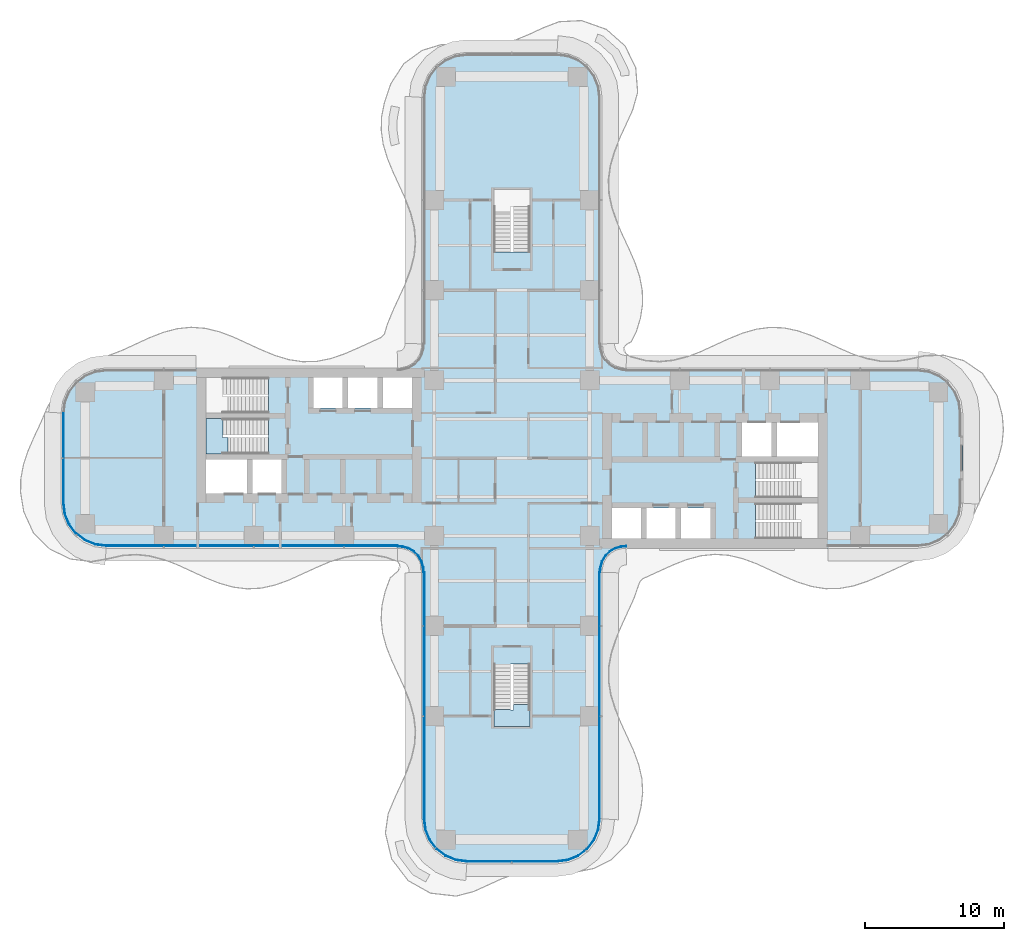
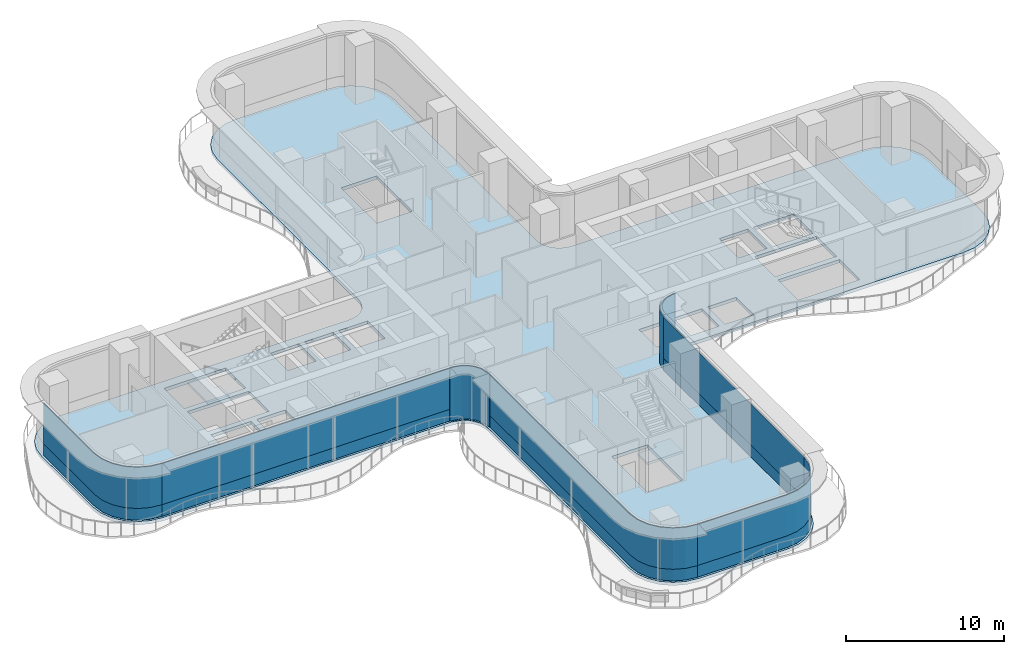
# One storey, part 14 of 22: 12 plates, 3 slabs, 9 elements without a shape of their own.
"""IFC4 building model written with IfcOpenShell, lengths in metres."""

from ifc_helpers import new_model, si_unit, direction, frame, origin, place, context, subcontext, project, spatial, polyline, outline, extrude, source, transform, mapped, material, layer, layer_set, type_object, element, aggregate, save


model = new_model("IFC4")

# Units and contexts
model_context = context("Model", 3, precision=1e-05, world=origin(), true_north=direction((0.0, 1.0)))
body_context = subcontext(model_context, "Body", "Model", "MODEL_VIEW")
ifc_project = project(units=[si_unit("LENGTHUNIT", "METRE"), si_unit("AREAUNIT", "SQUARE_METRE"), si_unit("VOLUMEUNIT", "CUBIC_METRE"), si_unit("PLANEANGLEUNIT", "RADIAN"), si_unit("MASSUNIT", "GRAM", prefix="KILO")], contexts=[model_context])

# Site, building, storey
site_placement = place(None, origin())
site = spatial("IfcSite", under=ifc_project, at=site_placement, CompositionType="ELEMENT")
building_placement = place(site_placement, origin())
building = spatial("IfcBuilding", under=site, at=building_placement, Name="Trellis Farm Tower", CompositionType="ELEMENT")
storey_placement = place(building_placement, frame((0.0, 0.0, 38.5)))
storey = spatial("IfcBuildingStorey", under=building, at=storey_placement, Name="L07", CompositionType="ELEMENT", Elevation=38.5)

# Slab
ifc_material_1 = material(Name="Concrete C40/50", Category="concrete")
ifc_layer_1 = layer(ifc_material_1, 0.25)
ifc_layer_set_1 = layer_set([ifc_layer_1], Name="Composite deck floor slab 250")
slab_type_1 = type_object("IfcSlabType", Name="Composite deck floor slab 250", PredefinedType="FLOOR", material=ifc_layer_set_1)
shared_shape_1 = source(origin(), body_context, "Body", "SweptSolid", [
    extrude(outline(polyline([(-30.09130859375, -6.389404296875), (-30.875, -6.064697265625), (-31.548095703125, -5.548095703125), (-32.064697265625, -4.875), (-32.389404296875, -4.09130859375), (-32.5, -3.25), (-32.5, 3.25), (-32.389404296875, 4.09130859375), (-32.064697265625, 4.875), (-31.548095703125, 5.548095703125), (-30.875, 6.064697265625), (-30.09130859375, 6.389404296875), (-29.25, 6.5), (-8.2314453125, 6.5), (-8.01953125, 6.513916015625), (-7.91552734375, 6.527587890625), (-7.508544921875, 6.63671875), (-7.144287109375, 6.846923828125), (-6.846923828125, 7.144287109375), (-6.63671875, 7.508544921875), (-6.527587890625, 7.91552734375), (-6.513916015625, 8.01953125), (-6.5, 8.2314453125), (-6.5, 26.0), (-6.389404296875, 26.84130859375), (-6.064697265625, 27.625), (-5.548095703125, 28.298095703125), (-4.875, 28.814697265625), (-4.09130859375, 29.139404296875), (-3.25, 29.25), (3.25, 29.25), (4.09130859375, 29.139404296875), (4.875, 28.814697265625), (5.548095703125, 28.298095703125), (6.064697265625, 27.625), (6.389404296875, 26.84130859375), (6.5, 26.0), (6.5, 8.2314453125), (6.513916015625, 8.01953125), (6.527587890625, 7.91552734375), (6.63671875, 7.508544921875), (6.846923828125, 7.144287109375), (7.144287109375, 6.846923828125), (7.508544921875, 6.63671875), (7.91552734375, 6.527587890625), (8.01953125, 6.513916015625), (8.2314453125, 6.5), (29.25, 6.5), (30.09130859375, 6.389404296875), (30.875, 6.064697265625), (31.548095703125, 5.548095703125), (32.064697265625, 4.875), (32.389404296875, 4.09130859375), (32.5, 3.25), (32.5, -3.25), (32.389404296875, -4.09130859375), (32.064697265625, -4.875), (31.548095703125, -5.548095703125), (30.875, -6.064697265625), (30.09130859375, -6.389404296875), (29.25, -6.5), (8.2314453125, -6.5), (8.01953125, -6.513916015625), (7.91552734375, -6.527587890625), (7.508544921875, -6.63671875), (7.144287109375, -6.846923828125), (6.846923828125, -7.144287109375), (6.63671875, -7.508544921875), (6.527587890625, -7.91552734375), (6.513916015625, -8.01953125), (6.5, -8.2314453125), (6.5, -26.0), (6.389404296875, -26.84130859375), (6.064697265625, -27.625), (5.548095703125, -28.298095703125), (4.875, -28.814697265625), (4.09130859375, -29.139404296875), (3.25, -29.25), (-3.25, -29.25), (-4.09130859375, -29.139404296875), (-4.875, -28.814697265625), (-5.548095703125, -28.298095703125), (-6.064697265625, -27.625), (-6.389404296875, -26.84130859375), (-6.5, -26.0), (-6.5, -8.2314453125), (-6.513916015625, -8.01953125), (-6.527587890625, -7.91552734375), (-6.63671875, -7.508544921875), (-6.846923828125, -7.144287109375), (-7.144287109375, -6.846923828125), (-7.508544921875, -6.63671875), (-7.91552734375, -6.527587890625), (-8.01953125, -6.513916015625), (-8.2314453125, -6.5), (-29.25, -6.5), (-30.09130859375, -6.389404296875)]), holes=[polyline([(-22.050048828125, -0.10009765625), (-22.050048828125, -2.550048828125), (-19.10009765625, -2.550048828125), (-19.10009765625, -0.10009765625), (-22.050048828125, -0.10009765625)]), polyline([(-18.699951171875, -0.10009765625), (-18.699951171875, -2.550048828125), (-16.60009765625, -2.550048828125), (-16.60009765625, -0.10009765625), (-18.699951171875, -0.10009765625)]), polyline([(-17.56201171875, 1.64990234375), (-17.56201171875, 2.85009765625), (-22.050048828125, 2.85009765625), (-22.050048828125, 0.300048828125), (-17.56005859375, 0.300048828125), (-17.56005859375, 1.5), (-17.550048828125, 1.5), (-17.550048828125, 1.64990234375), (-17.56201171875, 1.64990234375)]), polyline([(-17.56201171875, 4.60009765625), (-17.56201171875, 5.800048828125), (-22.050048828125, 5.800048828125), (-22.050048828125, 3.25), (-17.56005859375, 3.25), (-17.56005859375, 4.449951171875), (-17.550048828125, 4.449951171875), (-17.550048828125, 4.60009765625), (-17.56201171875, 4.60009765625)]), polyline([(-14.300048828125, 5.800048828125), (-14.300048828125, 3.60009765625), (-12.199951171875, 3.60009765625), (-12.199951171875, 5.800048828125), (-14.300048828125, 5.800048828125)]), polyline([(-11.800048828125, 5.800048828125), (-11.800048828125, 3.60009765625), (-9.699951171875, 3.60009765625), (-9.699951171875, 5.800048828125), (-11.800048828125, 5.800048828125)]), polyline([(-9.300048828125, 5.800048828125), (-9.300048828125, 3.60009765625), (-7.199951171875, 3.60009765625), (-7.199951171875, 5.800048828125), (-9.300048828125, 5.800048828125)]), polyline([(0.10009765625, 14.862060546875), (1.300048828125, 14.862060546875), (1.300048828125, 19.35009765625), (-1.300048828125, 19.35009765625), (-1.300048828125, 14.860107421875), (-0.10009765625, 14.860107421875), (-0.10009765625, 14.85009765625), (0.10009765625, 14.85009765625), (0.10009765625, 14.862060546875)]), polyline([(-0.10009765625, -14.862060546875), (-1.300048828125, -14.862060546875), (-1.300048828125, -19.35009765625), (1.300048828125, -19.35009765625), (1.300048828125, -14.860107421875), (0.10009765625, -14.860107421875), (0.10009765625, -14.85009765625), (-0.10009765625, -14.85009765625), (-0.10009765625, -14.862060546875)]), polyline([(9.300048828125, -5.800048828125), (9.300048828125, -3.60009765625), (7.199951171875, -3.60009765625), (7.199951171875, -5.800048828125), (9.300048828125, -5.800048828125)]), polyline([(11.800048828125, -5.800048828125), (11.800048828125, -3.60009765625), (9.699951171875, -3.60009765625), (9.699951171875, -5.800048828125), (11.800048828125, -5.800048828125)]), polyline([(14.300048828125, -5.800048828125), (14.300048828125, -3.60009765625), (12.199951171875, -3.60009765625), (12.199951171875, -5.800048828125), (14.300048828125, -5.800048828125)]), polyline([(17.56201171875, -4.60009765625), (17.56201171875, -5.800048828125), (22.050048828125, -5.800048828125), (22.050048828125, -3.25), (17.56005859375, -3.25), (17.56005859375, -4.449951171875), (17.550048828125, -4.449951171875), (17.550048828125, -4.60009765625), (17.56201171875, -4.60009765625)]), polyline([(17.56201171875, -1.64990234375), (17.56201171875, -2.85009765625), (22.050048828125, -2.85009765625), (22.050048828125, -0.300048828125), (17.56005859375, -0.300048828125), (17.56005859375, -1.5), (17.550048828125, -1.5), (17.550048828125, -1.64990234375), (17.56201171875, -1.64990234375)]), polyline([(18.699951171875, 0.10009765625), (18.699951171875, 2.550048828125), (16.60009765625, 2.550048828125), (16.60009765625, 0.10009765625), (18.699951171875, 0.10009765625)]), polyline([(22.050048828125, 0.10009765625), (22.050048828125, 2.550048828125), (19.10009765625, 2.550048828125), (19.10009765625, 0.10009765625), (22.050048828125, 0.10009765625)])]), origin(), (0.0, 0.0, 1.0), 0.25),
])
slab_1_placement = place(storey_placement, frame((0.0, 0.0, -0.25)))
element("IfcSlab", 1, at=slab_1_placement, inside=storey, type_object=slab_type_1, Name="Floor slab", PredefinedType="FLOOR", context=body_context, shape_type="MappedRepresentation", body=[
    mapped(shared_shape_1, transform((0.0, 0.0, 0.0))),
])

# Stair, slab
ifc_material_2 = material(Name="Concrete C50/60", Category="concrete")
stair_type = type_object("IfcStairType", Name="CORE EXIT STAIR 26 RISERS 173 MM", PredefinedType="HALF_TURN_STAIR", material=ifc_material_2)
placement_1 = place(storey_placement, origin())
stair_1 = element("IfcStair", 2, at=placement_1, inside=storey, type_object=stair_type, Name="Exit stair S", PredefinedType="HALF_TURN_STAIR")
ifc_layer_2 = layer(ifc_material_2, 0.18994140625)
ifc_layer_set_2 = layer_set([ifc_layer_2], Name="CORE STAIR LANDING 190 CONCRETE C50/60")
slab_type_2 = type_object("IfcSlabType", Name="CORE STAIR LANDING 190 CONCRETE C50/60", PredefinedType="LANDING", material=ifc_layer_set_2)
shared_shape_2 = source(origin(), body_context, "Body", "SweptSolid", [
    extrude(outline(polyline([(1.300048828125, -19.35009765625), (-1.300048828125, -19.35009765625), (-1.300048828125, -18.14990234375), (-1.300048828125, -18.139892578125), (-0.10009765625, -18.139892578125), (-0.10009765625, -18.14990234375), (0.10009765625, -18.14990234375), (0.10009765625, -17.753173828125), (1.300048828125, -17.753173828125), (1.300048828125, -18.14990234375), (1.300048828125, -19.35009765625)])), origin(), (0.0, 0.0, 1.0), 0.18994140625),
])
placement_2 = place(storey_placement, frame((0.0, 0.0, 2.06005859375)))
slab_2 = element("IfcSlab", 3, at=placement_2, type_object=slab_type_2, Name="STS landing 1", PredefinedType="LANDING", context=body_context, shape_type="MappedRepresentation", body=[
    mapped(shared_shape_2, transform((0.0, 0.0, 0.0))),
])
aggregate(stair_1, [slab_2])

stair_2 = element("IfcStair", 4, at=placement_1, inside=storey, type_object=stair_type, Name="Exit stair W2", PredefinedType="HALF_TURN_STAIR")
shared_shape_3 = source(origin(), body_context, "Body", "SweptSolid", [
    extrude(outline(polyline([(-20.453125, 1.5), (-20.453125, 0.300048828125), (-20.85009765625, 0.300048828125), (-22.050048828125, 0.300048828125), (-22.050048828125, 2.85009765625), (-20.85009765625, 2.85009765625), (-20.840087890625, 2.85009765625), (-20.840087890625, 1.64990234375), (-20.85009765625, 1.64990234375), (-20.85009765625, 1.5), (-20.453125, 1.5)])), origin(), (0.0, 0.0, 1.0), 0.18994140625),
])
slab_3 = element("IfcSlab", 5, at=placement_2, type_object=slab_type_2, Name="STW2 landing 1", PredefinedType="LANDING", context=body_context, shape_type="MappedRepresentation", body=[
    mapped(shared_shape_3, transform((0.0, 0.0, 0.0))),
])
aggregate(stair_2, [slab_3])

# Curtain wall, plates
ifc_material_3 = material(Name="Aluminium and glass curtain wall", Category="aluminium")
ifc_layer_3 = layer(ifc_material_3, 0.18994140625)
ifc_layer_set_3 = layer_set([ifc_layer_3], Name="RIBBON CURTAIN WALL CW1")
curtain_wall_type_1 = type_object("IfcCurtainWallType", Name="RIBBON CURTAIN WALL CW1", PredefinedType="NOTDEFINED", material=ifc_layer_set_3)
curtain_wall_1 = element("IfcCurtainWall", 6, at=placement_1, inside=storey, type_object=curtain_wall_type_1, Name="CW1 001", PredefinedType="NOTDEFINED")
ifc_material_4 = material(Name="Clear insulated glass", Category="glass")
ifc_layer_4 = layer(ifc_material_4, 0.0400390625)
ifc_layer_set_4 = layer_set([ifc_layer_4], Name="CW1 GLASS PANEL 40")
plate_type_1 = type_object("IfcPlateType", Name="CW1 GLASS PANEL 40", PredefinedType="CURTAIN_PANEL", material=ifc_layer_set_4)
shared_shape_4 = source(origin(), body_context, "Body", "SweptSolid", [
    extrude(outline(polyline([(-29.240234375, -6.35009765625), (-8.2265625, -6.35009765625), (-8.22509765625, -6.31005859375), (-29.237548828125, -6.31005859375), (-29.240234375, -6.35009765625)])), origin(), (0.0, 0.0, 1.0), 3.170166015625),
])
placement_3 = place(storey_placement, frame((0.0, 0.0, 0.89990234375)))
plate_1 = element("IfcPlate", 7, at=placement_3, type_object=plate_type_1, Name="PL1 001", PredefinedType="CURTAIN_PANEL", context=body_context, shape_type="MappedRepresentation", body=[
    mapped(shared_shape_4, transform((0.0, 0.0, 0.0))),
])
ifc_material_5 = material(Name="Sandstone faced insulated panel", Category="masonry")
ifc_layer_5 = layer(ifc_material_5, 0.050048828125)
ifc_layer_set_5 = layer_set([ifc_layer_5], Name="CW1 STONE SPANDREL PANEL 50")
plate_type_2 = type_object("IfcPlateType", Name="CW1 STONE SPANDREL PANEL 50", PredefinedType="CURTAIN_PANEL", material=ifc_layer_set_5)
shared_shape_5 = source(origin(), body_context, "Body", "SweptSolid", [
    extrude(outline(polyline([(-29.240234375, -6.35009765625), (-8.2265625, -6.35009765625), (-8.224853515625, -6.300048828125), (-29.23681640625, -6.300048828125), (-29.240234375, -6.35009765625)])), origin(), (0.0, 0.0, 1.0), 0.89990234375),
])
plate_2 = element("IfcPlate", 8, at=placement_1, type_object=plate_type_2, Name="PS1 001", PredefinedType="CURTAIN_PANEL", context=body_context, shape_type="MappedRepresentation", body=[
    mapped(shared_shape_5, transform((0.0, 0.0, 0.0))),
])
aggregate(curtain_wall_1, [plate_1, plate_2])

# Curtain wall, plate
ifc_layer_6 = layer(ifc_material_3, 0.166015625)
ifc_layer_set_6 = layer_set([ifc_layer_6], Name="WINTER GARDEN CURTAIN WALL CW3")
curtain_wall_type_2 = type_object("IfcCurtainWallType", Name="WINTER GARDEN CURTAIN WALL CW3", PredefinedType="NOTDEFINED", material=ifc_layer_set_6)
curtain_wall_2 = element("IfcCurtainWall", 9, at=placement_1, inside=storey, type_object=curtain_wall_type_2, Name="CW3 001", PredefinedType="NOTDEFINED")
ifc_layer_7 = layer(ifc_material_4, 0.0458984375)
ifc_layer_set_7 = layer_set([ifc_layer_7], Name="CW3 GLASS PANEL 46")
plate_type_3 = type_object("IfcPlateType", Name="CW3 GLASS PANEL 46", PredefinedType="CURTAIN_PANEL", material=ifc_layer_set_7)
shared_shape_6 = source(origin(), body_context, "Body", "SweptSolid", [
    extrude(outline(polyline([(-8.2275390625, -6.3798828125), (-8.0078125, -6.394287109375), (-7.89208984375, -6.40966796875), (-7.462158203125, -6.52490234375), (-7.070556640625, -6.7509765625), (-6.7509765625, -7.070556640625), (-6.52490234375, -7.462158203125), (-6.40966796875, -7.89208984375), (-6.394287109375, -8.0078125), (-6.3798828125, -8.2275390625), (-6.333984375, -8.22607421875), (-6.3486328125, -8.003173828125), (-6.364501953125, -7.883056640625), (-6.48193359375, -7.4443359375), (-6.714111328125, -7.04248046875), (-7.04248046875, -6.714111328125), (-7.4443359375, -6.48193359375), (-7.883056640625, -6.364501953125), (-8.003173828125, -6.3486328125), (-8.22607421875, -6.333984375), (-8.2275390625, -6.3798828125)])), origin(), (0.0, 0.0, 1.0), 4.10009765625),
])
plate_3 = element("IfcPlate", 10, at=placement_1, type_object=plate_type_3, Name="PL3 001", PredefinedType="CURTAIN_PANEL", context=body_context, shape_type="MappedRepresentation", body=[
    mapped(shared_shape_6, transform((0.0, 0.0, 0.0))),
])
aggregate(curtain_wall_2, [plate_3])

# Curtain wall, plates
curtain_wall_3 = element("IfcCurtainWall", 11, at=placement_1, inside=storey, type_object=curtain_wall_type_1, Name="CW1 003", PredefinedType="NOTDEFINED")
shared_shape_7 = source(origin(), body_context, "Body", "SweptSolid", [
    extrude(outline(polyline([(-3.240234375, -29.10009765625), (3.240234375, -29.10009765625), (4.052001953125, -28.9931640625), (4.79931640625, -28.68359375), (5.441162109375, -28.191162109375), (5.93359375, -27.54931640625), (6.2431640625, -26.802001953125), (6.35009765625, -25.990234375), (6.31005859375, -25.987548828125), (6.2041015625, -26.79150390625), (5.898681640625, -27.529296875), (5.41259765625, -28.16259765625), (4.779296875, -28.648681640625), (4.04150390625, -28.9541015625), (3.237548828125, -29.06005859375), (-3.237548828125, -29.06005859375), (-3.240234375, -29.10009765625)])), origin(), (0.0, 0.0, 1.0), 3.170166015625),
])
plate_4 = element("IfcPlate", 12, at=placement_3, type_object=plate_type_1, Name="PL1 003", PredefinedType="CURTAIN_PANEL", context=body_context, shape_type="MappedRepresentation", body=[
    mapped(shared_shape_7, transform((0.0, 0.0, 0.0))),
])
shared_shape_8 = source(origin(), body_context, "Body", "SweptSolid", [
    extrude(outline(polyline([(-3.240234375, -29.10009765625), (3.240234375, -29.10009765625), (4.052001953125, -28.9931640625), (4.79931640625, -28.68359375), (5.441162109375, -28.191162109375), (5.93359375, -27.54931640625), (6.2431640625, -26.802001953125), (6.35009765625, -25.990234375), (6.300048828125, -25.98681640625), (6.1943359375, -26.7890625), (5.889892578125, -27.524169921875), (5.405517578125, -28.155517578125), (4.774169921875, -28.639892578125), (4.0390625, -28.9443359375), (3.23681640625, -29.050048828125), (-3.23681640625, -29.050048828125), (-3.240234375, -29.10009765625)])), origin(), (0.0, 0.0, 1.0), 0.89990234375),
])
plate_5 = element("IfcPlate", 13, at=placement_1, type_object=plate_type_2, Name="PS1 003", PredefinedType="CURTAIN_PANEL", context=body_context, shape_type="MappedRepresentation", body=[
    mapped(shared_shape_8, transform((0.0, 0.0, 0.0))),
])
aggregate(curtain_wall_3, [plate_4, plate_5])

curtain_wall_4 = element("IfcCurtainWall", 14, at=placement_1, inside=storey, type_object=curtain_wall_type_1, Name="CW1 004", PredefinedType="NOTDEFINED")
shared_shape_9 = source(origin(), body_context, "Body", "SweptSolid", [
    extrude(outline(polyline([(6.35009765625, -25.990234375), (6.35009765625, -8.2265625), (6.31005859375, -8.22509765625), (6.31005859375, -25.987548828125), (6.35009765625, -25.990234375)])), origin(), (0.0, 0.0, 1.0), 3.170166015625),
])
plate_6 = element("IfcPlate", 15, at=placement_3, type_object=plate_type_1, Name="PL1 004", PredefinedType="CURTAIN_PANEL", context=body_context, shape_type="MappedRepresentation", body=[
    mapped(shared_shape_9, transform((0.0, 0.0, 0.0))),
])
shared_shape_10 = source(origin(), body_context, "Body", "SweptSolid", [
    extrude(outline(polyline([(6.35009765625, -25.990234375), (6.35009765625, -8.2265625), (6.300048828125, -8.224853515625), (6.300048828125, -25.98681640625), (6.35009765625, -25.990234375)])), origin(), (0.0, 0.0, 1.0), 0.89990234375),
])
plate_7 = element("IfcPlate", 16, at=placement_1, type_object=plate_type_2, Name="PS1 004", PredefinedType="CURTAIN_PANEL", context=body_context, shape_type="MappedRepresentation", body=[
    mapped(shared_shape_10, transform((0.0, 0.0, 0.0))),
])
aggregate(curtain_wall_4, [plate_6, plate_7])

# Curtain wall, plate
curtain_wall_5 = element("IfcCurtainWall", 17, at=placement_1, inside=storey, type_object=curtain_wall_type_2, Name="CW3 002", PredefinedType="NOTDEFINED")
shared_shape_11 = source(origin(), body_context, "Body", "SweptSolid", [
    extrude(outline(polyline([(6.3798828125, -8.2275390625), (6.394287109375, -8.0078125), (6.40966796875, -7.89208984375), (6.52490234375, -7.462158203125), (6.7509765625, -7.070556640625), (7.070556640625, -6.7509765625), (7.462158203125, -6.52490234375), (7.89208984375, -6.40966796875), (8.0078125, -6.394287109375), (8.2275390625, -6.3798828125), (8.22607421875, -6.333984375), (8.003173828125, -6.3486328125), (7.883056640625, -6.364501953125), (7.4443359375, -6.48193359375), (7.04248046875, -6.714111328125), (6.714111328125, -7.04248046875), (6.48193359375, -7.4443359375), (6.364501953125, -7.883056640625), (6.3486328125, -8.003173828125), (6.333984375, -8.22607421875), (6.3798828125, -8.2275390625)])), origin(), (0.0, 0.0, 1.0), 4.10009765625),
])
plate_8 = element("IfcPlate", 18, at=placement_1, type_object=plate_type_3, Name="PL3 002", PredefinedType="CURTAIN_PANEL", context=body_context, shape_type="MappedRepresentation", body=[
    mapped(shared_shape_11, transform((0.0, 0.0, 0.0))),
])
aggregate(curtain_wall_5, [plate_8])

# Curtain wall, plates
curtain_wall_6 = element("IfcCurtainWall", 19, at=placement_1, inside=storey, type_object=curtain_wall_type_1, Name="CW1 002", PredefinedType="NOTDEFINED")
shared_shape_12 = source(origin(), body_context, "Body", "SweptSolid", [
    extrude(outline(polyline([(-6.35009765625, -8.2265625), (-6.35009765625, -25.990234375), (-6.2431640625, -26.802001953125), (-5.93359375, -27.54931640625), (-5.441162109375, -28.191162109375), (-4.79931640625, -28.68359375), (-4.052001953125, -28.9931640625), (-3.240234375, -29.10009765625), (-3.237548828125, -29.06005859375), (-4.04150390625, -28.9541015625), (-4.779296875, -28.648681640625), (-5.41259765625, -28.16259765625), (-5.898681640625, -27.529296875), (-6.2041015625, -26.79150390625), (-6.31005859375, -25.987548828125), (-6.31005859375, -8.22509765625), (-6.35009765625, -8.2265625)])), origin(), (0.0, 0.0, 1.0), 3.170166015625),
])
plate_9 = element("IfcPlate", 20, at=placement_3, type_object=plate_type_1, Name="PL1 002", PredefinedType="CURTAIN_PANEL", context=body_context, shape_type="MappedRepresentation", body=[
    mapped(shared_shape_12, transform((0.0, 0.0, 0.0))),
])
shared_shape_13 = source(origin(), body_context, "Body", "SweptSolid", [
    extrude(outline(polyline([(-6.35009765625, -8.2265625), (-6.35009765625, -25.990234375), (-6.2431640625, -26.802001953125), (-5.93359375, -27.54931640625), (-5.441162109375, -28.191162109375), (-4.79931640625, -28.68359375), (-4.052001953125, -28.9931640625), (-3.240234375, -29.10009765625), (-3.23681640625, -29.050048828125), (-4.0390625, -28.9443359375), (-4.774169921875, -28.639892578125), (-5.405517578125, -28.155517578125), (-5.889892578125, -27.524169921875), (-6.1943359375, -26.7890625), (-6.300048828125, -25.98681640625), (-6.300048828125, -8.224853515625), (-6.35009765625, -8.2265625)])), origin(), (0.0, 0.0, 1.0), 0.89990234375),
])
plate_10 = element("IfcPlate", 21, at=placement_1, type_object=plate_type_2, Name="PS1 002", PredefinedType="CURTAIN_PANEL", context=body_context, shape_type="MappedRepresentation", body=[
    mapped(shared_shape_13, transform((0.0, 0.0, 0.0))),
])
aggregate(curtain_wall_6, [plate_9, plate_10])

curtain_wall_7 = element("IfcCurtainWall", 22, at=placement_1, inside=storey, type_object=curtain_wall_type_1, Name="CW1 013", PredefinedType="NOTDEFINED")
shared_shape_14 = source(origin(), body_context, "Body", "SweptSolid", [
    extrude(outline(polyline([(-32.35009765625, 3.240234375), (-32.35009765625, -3.240234375), (-32.2431640625, -4.052001953125), (-31.93359375, -4.79931640625), (-31.441162109375, -5.441162109375), (-30.79931640625, -5.93359375), (-30.052001953125, -6.2431640625), (-29.240234375, -6.35009765625), (-29.237548828125, -6.31005859375), (-30.04150390625, -6.2041015625), (-30.779296875, -5.898681640625), (-31.41259765625, -5.41259765625), (-31.898681640625, -4.779296875), (-32.2041015625, -4.04150390625), (-32.31005859375, -3.237548828125), (-32.31005859375, 3.237548828125), (-32.35009765625, 3.240234375)])), origin(), (0.0, 0.0, 1.0), 3.170166015625),
])
plate_11 = element("IfcPlate", 23, at=placement_3, type_object=plate_type_1, Name="PL1 013", PredefinedType="CURTAIN_PANEL", context=body_context, shape_type="MappedRepresentation", body=[
    mapped(shared_shape_14, transform((0.0, 0.0, 0.0))),
])
shared_shape_15 = source(origin(), body_context, "Body", "SweptSolid", [
    extrude(outline(polyline([(-32.35009765625, 3.240234375), (-32.35009765625, -3.240234375), (-32.2431640625, -4.052001953125), (-31.93359375, -4.79931640625), (-31.441162109375, -5.441162109375), (-30.79931640625, -5.93359375), (-30.052001953125, -6.2431640625), (-29.240234375, -6.35009765625), (-29.23681640625, -6.300048828125), (-30.0390625, -6.1943359375), (-30.774169921875, -5.889892578125), (-31.405517578125, -5.405517578125), (-31.889892578125, -4.774169921875), (-32.1943359375, -4.0390625), (-32.300048828125, -3.23681640625), (-32.300048828125, 3.23681640625), (-32.35009765625, 3.240234375)])), origin(), (0.0, 0.0, 1.0), 0.89990234375),
])
plate_12 = element("IfcPlate", 24, at=placement_1, type_object=plate_type_2, Name="PS1 013", PredefinedType="CURTAIN_PANEL", context=body_context, shape_type="MappedRepresentation", body=[
    mapped(shared_shape_15, transform((0.0, 0.0, 0.0))),
])
aggregate(curtain_wall_7, [plate_11, plate_12])

save(model, "model.ifc")
